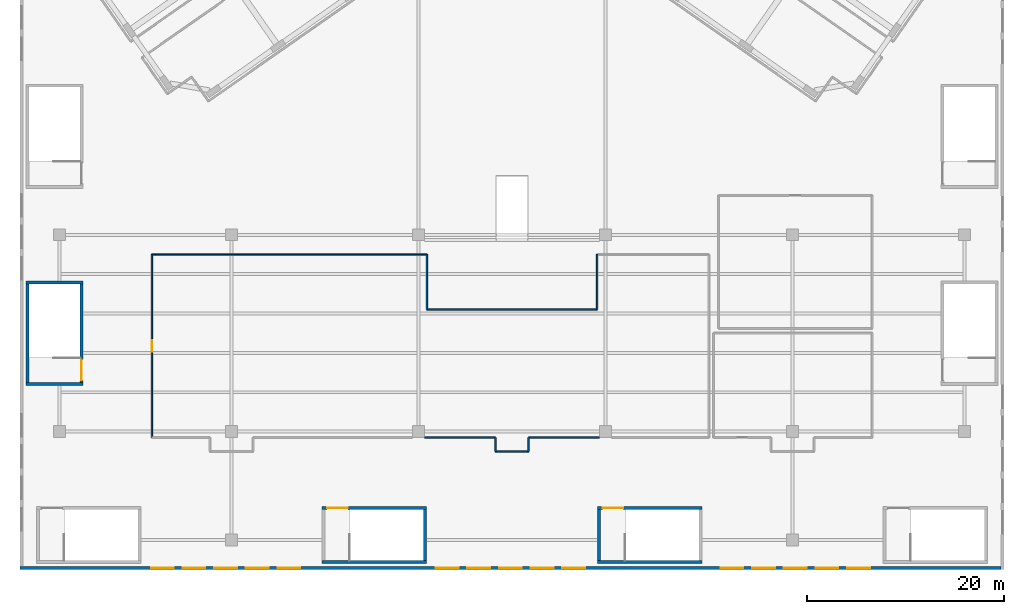
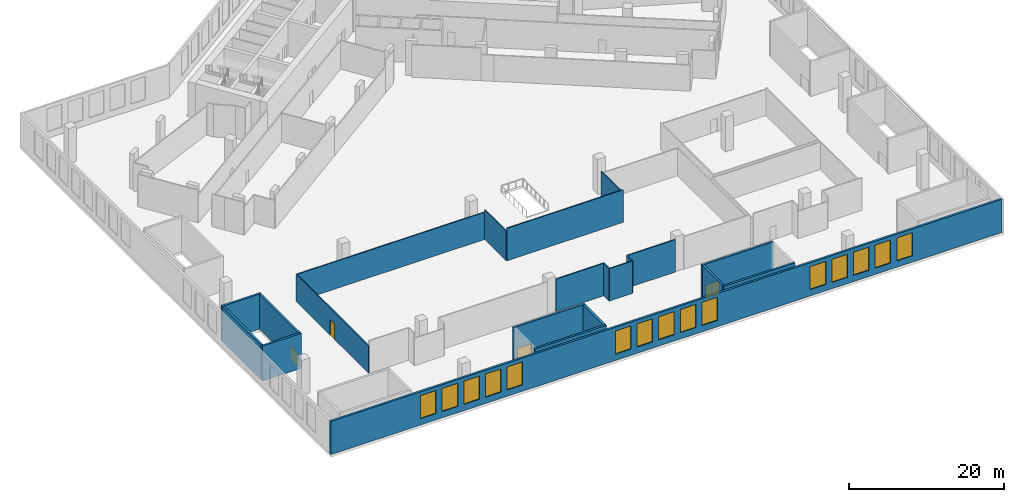
# One storey, part 3 of 15: 21 walls, 15 windows, 4 doors, 19 openings.
"""IFC4 building model written with IfcOpenShell, lengths in metres."""

import ifcopenshell
import ifcopenshell.guid

model = None  # the IFC model being written
_history = None  # IfcOwnerHistory: only IFC2X3 demands one
_inside = {}  # id of a spatial element -> (the spatial element, [elements in it])
_under = {}  # id of a project, library or spatial element -> (it, [spatial elements below it])
_declared = {}  # id of a project -> (the project, [libraries it declares])
_typed = {}  # id of a type object -> (the type object, [elements of that type])
_made_of = {}  # id of a material, layer set ... -> (it, [elements and type objects made of it])


def new_model(schema):
    """Start an empty IFC model of exactly this schema.

    Asked for "IFC4X3", IfcOpenShell would pick the latest addendum, in which some entities
    have other attributes; the version numbers below select the first issue.
    IFC2X3 requires an IfcOwnerHistory on every rooted entity: one is made here for all.
    """
    global model, _history
    if schema == "IFC4X3":
        model = ifcopenshell.file(schema_version=(4, 3, 0, 0))
    else:
        model = ifcopenshell.file(schema=schema)
    _inside.clear()
    _under.clear()
    _declared.clear()
    _typed.clear()
    _made_of.clear()
    _history = None
    if model.schema == "IFC2X3":
        org = make("IfcOrganization", Name="unknown")
        user = make(
            "IfcPersonAndOrganization",
            ThePerson=make("IfcPerson", FamilyName="unknown"),
            TheOrganization=org,
        )
        app = make(
            "IfcApplication",
            ApplicationDeveloper=org,
            Version="unknown",
            ApplicationFullName="unknown",
            ApplicationIdentifier="unknown",
        )
        _history = make(
            "IfcOwnerHistory",
            OwningUser=user,
            OwningApplication=app,
            ChangeAction="ADDED",
            CreationDate=0,
        )
    return model


def make(cls, **values):
    """One entity of the class cls with the attributes given. An attribute that is None is left unset."""
    return model.create_entity(
        cls, **{name: value for name, value in values.items() if value is not None}
    )


def rooted(cls, **values):
    """An entity with a GlobalId (a new one), such as an element, a storey or a relation."""
    return make(cls, GlobalId=ifcopenshell.guid.new(), OwnerHistory=_history, **values)


def si_unit(unit_type, name, prefix=None):
    """IfcSIUnit, for example si_unit("LENGTHUNIT", "METRE", prefix="MILLI")."""
    return make("IfcSIUnit", UnitType=unit_type, Prefix=prefix, Name=name)


def assignment(units):
    """IfcUnitAssignment: the units of a project."""
    return None if units is None else make("IfcUnitAssignment", Units=units)


def point(xyz):
    """IfcCartesianPoint."""
    return None if xyz is None else make("IfcCartesianPoint", Coordinates=xyz)


def direction(xyz):
    """IfcDirection."""
    return None if xyz is None else make("IfcDirection", DirectionRatios=xyz)


def frame(location, z_axis=None, x_axis=None):
    """IfcAxis2Placement3D, a coordinate frame: its origin and axes. An axis left out is left unset."""
    return make(
        "IfcAxis2Placement3D",
        Location=point(location),
        Axis=direction(z_axis),
        RefDirection=direction(x_axis),
    )


def frame_2d(location, x_axis=None):
    """IfcAxis2Placement2D, a coordinate frame in the plane: its origin and x axis."""
    return make(
        "IfcAxis2Placement2D", Location=point(location), RefDirection=direction(x_axis)
    )


def origin():
    """The frame at (0, 0, 0) with its axes left unset."""
    return frame((0.0, 0.0, 0.0))


def place(relative_to, where):
    """IfcLocalPlacement: puts the frame where relative to a parent placement (None: the world)."""
    return make(
        "IfcLocalPlacement", PlacementRelTo=relative_to, RelativePlacement=where
    )


def context(
    kind, dimensions, precision=None, world=None, true_north=None, identifier=None
):
    """IfcGeometricRepresentationContext, for example the 3D "Model" context."""
    return make(
        "IfcGeometricRepresentationContext",
        ContextIdentifier=identifier,
        ContextType=kind,
        CoordinateSpaceDimension=dimensions,
        Precision=precision,
        WorldCoordinateSystem=world,
        TrueNorth=true_north,
    )


def subcontext(parent, identifier, kind, view, scale=None):
    """IfcGeometricRepresentationSubContext, for example "Body" below "Model"."""
    return make(
        "IfcGeometricRepresentationSubContext",
        ContextIdentifier=identifier,
        ContextType=kind,
        ParentContext=parent,
        TargetScale=scale,
        TargetView=view,
    )


def project(units=None, contexts=None):
    """IfcProject with its units and contexts."""
    return rooted(
        "IfcProject",
        Name="project",
        RepresentationContexts=contexts,
        UnitsInContext=assignment(units),
    )


def spatial(cls, under=None, at=None, **own):
    """A site, building, storey or space (cls), placed at a placement, below another one or the project."""
    s = rooted(cls, ObjectPlacement=at, **own)
    if under is not None:
        _under.setdefault(under.id(), (under, []))[1].append(s)
    return s


def profile(cls, at=None, kind="AREA", **sizes):
    """A parametric profile (cls). Its sizes go by their IFC names, for example OverallWidth=200.0."""
    return make(cls, ProfileType=kind, Position=at, **sizes)


def rectangle(**sizes):
    """IfcRectangleProfileDef."""
    return profile("IfcRectangleProfileDef", **sizes)


def extrude(swept, where, along, depth):
    """IfcExtrudedAreaSolid: the profile swept, set in the frame where, extruded along a direction by depth."""
    return make(
        "IfcExtrudedAreaSolid",
        SweptArea=swept,
        Position=where,
        ExtrudedDirection=direction(along),
        Depth=depth,
    )


def shape(context_of_items, identifier, shape_type, items):
    """IfcShapeRepresentation: the items that make up one representation, for example the "Body"."""
    return make(
        "IfcShapeRepresentation",
        ContextOfItems=context_of_items,
        RepresentationIdentifier=identifier,
        RepresentationType=shape_type,
        Items=items,
    )


def material(Name=None, Category=None):
    """IfcMaterial."""
    return make("IfcMaterial", Name=Name, Category=Category)


def layer(
    of_material, thickness, ventilated=None, Name=None, Category=None, Priority=None
):
    """IfcMaterialLayer: one layer of a wall or slab, of a material (None: an air gap)."""
    return make(
        "IfcMaterialLayer",
        Material=of_material,
        LayerThickness=thickness,
        IsVentilated=ventilated,
        Name=Name,
        Category=Category,
        Priority=Priority,
    )


def layer_set(layers, Name=None):
    """IfcMaterialLayerSet."""
    return make("IfcMaterialLayerSet", MaterialLayers=layers, LayerSetName=Name)


def made_of(thing, what):
    """Note that an element or type object is made of a material, layer set ...; save() writes the relation."""
    if what is not None:
        _made_of.setdefault(what.id(), (what, []))[1].append(thing)
    return thing


def type_object(cls, material=None, **own):
    """A type object (cls), such as IfcWallType, which elements share."""
    return made_of(rooted(cls, **own), material)


def element(
    cls,
    number,
    at=None,
    inside=None,
    cuts=None,
    type_object=None,
    material=None,
    context=None,
    identifier="Body",
    shape_type=None,
    held_by="IfcProductDefinitionShape",
    body=None,
    shapes=None,
    **own,
):
    """One element of the class cls, such as IfcWall. Its Tag is "e" and its number.

    at: its placement. inside: the storey or other place that contains it. cuts: it is an
    opening in that element (IfcRelVoidsElement). A single representation is given by context,
    identifier, shape_type and body (its items); several are given by shapes. held_by: the class
    of the entity that holds the representations. save() writes the other relations.
    """
    e = rooted(cls, Tag="e%d" % number, ObjectPlacement=at, **own)
    if body is not None:
        shapes = [shape(context, identifier, shape_type, body)]
    if shapes is not None:
        e.Representation = make(held_by, Representations=shapes)
    if inside is not None:
        _inside.setdefault(inside.id(), (inside, []))[1].append(e)
    if cuts is not None:
        rooted(
            "IfcRelVoidsElement", RelatingBuildingElement=cuts, RelatedOpeningElement=e
        )
    if type_object is not None:
        _typed.setdefault(type_object.id(), (type_object, []))[1].append(e)
    return made_of(e, material)


def fill(opening, filler):
    """IfcRelFillsElement: the door or window that sits in an opening."""
    return rooted(
        "IfcRelFillsElement",
        RelatingOpeningElement=opening,
        RelatedBuildingElement=filler,
    )


def aggregate(whole, parts):
    """IfcRelAggregates: a whole, such as a stair, and the parts it consists of."""
    return rooted("IfcRelAggregates", RelatingObject=whole, RelatedObjects=parts)


def save(model, path):
    """Write the relations noted so far, then the file.

    IfcRelAggregates (storeys below a building ...), IfcRelContainedInSpatialStructure (elements
    in a storey), IfcRelDefinesByType, IfcRelAssociatesMaterial and IfcRelDeclares: one each for
    every whole, place, type object, material and project.
    """
    for whole, parts in _under.values():
        aggregate(whole, parts)
    for where, things in _inside.values():
        rooted(
            "IfcRelContainedInSpatialStructure",
            RelatedElements=things,
            RelatingStructure=where,
        )
    for kind, things in _typed.values():
        rooted("IfcRelDefinesByType", RelatedObjects=things, RelatingType=kind)
    for what, things in _made_of.values():
        rooted("IfcRelAssociatesMaterial", RelatedObjects=things, RelatingMaterial=what)
    for by, libraries in _declared.values():
        rooted("IfcRelDeclares", RelatingContext=by, RelatedDefinitions=libraries)
    model.write(path)


model = new_model("IFC4")

# Units and contexts
model_context = context("Model", 3, precision=1e-05, world=origin(), true_north=direction((0.0, 1.0)))
body_context = subcontext(model_context, "Body", "Model", "MODEL_VIEW")
ifc_project = project(units=[si_unit("LENGTHUNIT", "METRE"), si_unit("AREAUNIT", "SQUARE_METRE"), si_unit("VOLUMEUNIT", "CUBIC_METRE"), si_unit("PLANEANGLEUNIT", "RADIAN"), si_unit("MASSUNIT", "GRAM", prefix="KILO")], contexts=[model_context])

# Site, building, storey
site_placement = place(None, origin())
site = spatial("IfcSite", under=ifc_project, at=site_placement, CompositionType="ELEMENT")
building_placement = place(site_placement, origin())
building = spatial("IfcBuilding", under=site, at=building_placement, Name="Tel Ilan Convention Tower", CompositionType="ELEMENT")
storey_placement = place(building_placement, frame((0.0, 0.0, 43.0)))
storey = spatial("IfcBuildingStorey", under=building, at=storey_placement, Name="L06", CompositionType="ELEMENT", Elevation=43.0)

# Walls
ifc_material_1 = material(Name="Plasterboard on Steel Studs", Category="steel")
ifc_layer_1 = layer(ifc_material_1, 0.14990234375)
ifc_layer_set_1 = layer_set([ifc_layer_1], Name="Fire-rated Partition 150 EI 60")
wall_type_1 = type_object("IfcWallType", Name="Fire-rated Partition 150 EI 60", PredefinedType="PARTITIONING", material=ifc_layer_set_1)
wall_1_placement = place(storey_placement, frame((-8.65087890625, -49.9990234375, 0.0), z_axis=(0.0, 0.0, 1.0), x_axis=(-1.0, 0.0, 0.0)))
element("IfcWall", 1, at=wall_1_placement, inside=storey, type_object=wall_type_1, Name="Partition 029", PredefinedType="PARTITIONING", context=body_context, shape_type="SweptSolid", body=[
    extrude(rectangle(XDim=27.9482421875, YDim=0.14990234375, at=frame_2d((13.97412109375, 0.0))), origin(), (0.0, 0.0, 1.0), 4.280029296875),
])
wall_2_placement = place(storey_placement, frame((-1.698974609375, -70.0009765625, 0.0), z_axis=(0.0, 0.0, 1.0), x_axis=(1.0, 0.0, 0.0)))
element("IfcWall", 2, at=wall_2_placement, inside=storey, type_object=wall_type_1, Name="Partition 041", PredefinedType="PARTITIONING", context=body_context, shape_type="SweptSolid", body=[
    extrude(rectangle(XDim=3.39794921875, YDim=0.14990234375, at=frame_2d((1.698974609375, 0.0))), origin(), (0.0, 0.0, 1.0), 5.10009765625),
])

# Wall, opening, door
wall_3_placement = place(storey_placement, frame((-36.60009765625, -49.998291015625, 0.0), z_axis=(0.0, 0.0, 1.0), x_axis=(0.0, -1.0, 0.0)))
wall_3 = element("IfcWall", 3, at=wall_3_placement, inside=storey, type_object=wall_type_1, Name="Partition 045", PredefinedType="PARTITIONING", context=body_context, shape_type="SweptSolid", body=[
    extrude(rectangle(XDim=18.601806640625, YDim=0.14990234375, at=frame_2d((9.30078125, 0.0))), origin(), (0.0, 0.0, 1.0), 4.280029296875),
])
opening_1_placement = place(wall_3_placement, frame((8.700927734375, 0.0, 0.0)))
opening_1 = element("IfcOpeningElement", 4, at=opening_1_placement, cuts=wall_3, Name="Opening L06-007", PredefinedType="OPENING", context=body_context, shape_type="SweptSolid", body=[
    extrude(rectangle(XDim=1.199951171875, YDim=2.39990234375, at=frame_2d((0.60009765625, 1.199951171875))), frame((0.0, 0.0849609375, 0.0), z_axis=(0.0, -1.0, 0.0), x_axis=(1.0, 0.0, 0.0)), (0.0, 0.0, 1.0), 0.169921875),
])
ifc_material_2 = material(Name="Glazed Aluminium Door", Category="aluminium")
door_type_1 = type_object("IfcDoorType", Name="Glazed Lobby Door 1200x2400", OperationType="NOTDEFINED", PredefinedType="DOOR", material=ifc_material_2)
door_1_placement = place(opening_1_placement, origin())
door_1 = element("IfcDoor", 5, at=door_1_placement, inside=storey, type_object=door_type_1, Name="Door L06-007", OperationType="DOUBLE_DOOR_SINGLE_SWING", OverallHeight=2.39990234375, OverallWidth=1.199951171875, PredefinedType="DOOR", context=body_context, shape_type="SweptSolid", body=[
    extrude(rectangle(XDim=1.199951171875, YDim=2.39990234375, at=frame_2d((0.60009765625, 1.199951171875))), frame((0.0, 0.02490234375, 0.0), z_axis=(0.0, -1.0, 0.0), x_axis=(1.0, 0.0, 0.0)), (0.0, 0.0, 1.0), 0.050048828125),
])
fill(opening_1, door_1)

# Walls
wall_4_placement = place(storey_placement, frame((-8.8798828125, -68.60009765625, 0.0), z_axis=(0.0, 0.0, 1.0), x_axis=(1.0, 0.0, 0.0)))
element("IfcWall", 6, at=wall_4_placement, inside=storey, type_object=wall_type_1, Name="Partition 050", PredefinedType="PARTITIONING", context=body_context, shape_type="SweptSolid", body=[
    extrude(rectangle(XDim=7.179931640625, YDim=0.14990234375, at=frame_2d((3.58984375, 0.0))), origin(), (0.0, 0.0, 1.0), 5.10009765625),
])
for number, where, z_axis, x_axis, name in (
    (7, (-1.699951171875, -68.60009765625, 0.0), (0.0, 0.0, 1.0), (0.0, -1.0, 0.0), "Partition 051"),
    (8, (1.699951171875, -70.001708984375, 0.0), (0.0, 0.0, 1.0), (0.0, 1.0, 0.0), "Partition 052"),
):
    element("IfcWall", number, at=place(storey_placement, frame(where, z_axis=z_axis, x_axis=x_axis)), inside=storey, type_object=wall_type_1, Name=name, PredefinedType="PARTITIONING", context=body_context, shape_type="SweptSolid", body=[
        extrude(rectangle(XDim=1.401611328125, YDim=0.14990234375, at=frame_2d((0.70068359375, 0.0))), origin(), (0.0, 0.0, 1.0), 5.10009765625),
    ])
wall_5_placement = place(storey_placement, frame((1.699951171875, -68.60009765625, 0.0), z_axis=(0.0, 0.0, 1.0), x_axis=(1.0, 0.0, 0.0)))
element("IfcWall", 9, at=wall_5_placement, inside=storey, type_object=wall_type_1, Name="Partition 053", PredefinedType="PARTITIONING", context=body_context, shape_type="SweptSolid", body=[
    extrude(rectangle(XDim=7.179931640625, YDim=0.14990234375, at=frame_2d((3.58984375, 0.0))), origin(), (0.0, 0.0, 1.0), 5.10009765625),
])
wall_6_placement = place(storey_placement, frame((8.64990234375, -55.5859375, 0.0), z_axis=(0.0, 0.0, 1.0), x_axis=(-1.0, 0.0, 0.0)))
element("IfcWall", 10, at=wall_6_placement, inside=storey, type_object=wall_type_1, Name="Partition 065", PredefinedType="PARTITIONING", context=body_context, shape_type="SweptSolid", body=[
    extrude(rectangle(XDim=17.2998046875, YDim=0.14990234375, at=frame_2d((8.64990234375, 0.0))), origin(), (0.0, 0.0, 1.0), 5.10009765625),
])
for number, where, z_axis, x_axis, name in (
    (11, (-8.64990234375, -55.5859375, 0.0), (0.0, 0.0, 1.0), (0.0, 1.0, 0.0), "Partition 066"),
    (12, (8.64990234375, -49.998291015625, 0.0), (0.0, 0.0, 1.0), (0.0, -1.0, 0.0), "Partition 067"),
):
    element("IfcWall", number, at=place(storey_placement, frame(where, z_axis=z_axis, x_axis=x_axis)), inside=storey, type_object=wall_type_1, Name=name, PredefinedType="PARTITIONING", context=body_context, shape_type="SweptSolid", body=[
        extrude(rectangle(XDim=5.587646484375, YDim=0.14990234375, at=frame_2d((2.7939453125, 0.0))), origin(), (0.0, 0.0, 1.0), 4.6298828125),
    ])

# Wall, openings, windows
ifc_material_3 = material(Name="Bronze aluminium cladding panel on insulated steel frame", Category="steel")
ifc_layer_2 = layer(ifc_material_3, 0.300048828125)
ifc_layer_set_2 = layer_set([ifc_layer_2], Name="PODIUM CLADDING WALL 300")
wall_type_2 = type_object("IfcWallType", Name="PODIUM CLADDING WALL 300", PredefinedType="SOLIDWALL", material=ifc_layer_set_2)
wall_7_placement = place(storey_placement, frame((49.699951171875, -81.85009765625, 0.0), z_axis=(0.0, 0.0, 1.0), x_axis=(-1.0, 0.0, 0.0)))
wall_7 = element("IfcWall", 13, at=wall_7_placement, inside=storey, type_object=wall_type_2, Name="Podium cladding wall", PredefinedType="SOLIDWALL", context=body_context, shape_type="SweptSolid", body=[
    extrude(rectangle(XDim=99.699951171875, YDim=0.300048828125, at=frame_2d((49.85009765625, 0.0))), origin(), (0.0, 0.0, 1.0), 5.219970703125),
])
opening_2_placement = place(wall_7_placement, frame((13.314453125, 0.0, 1.0)))
opening_2 = element("IfcOpeningElement", 14, at=opening_2_placement, cuts=wall_7, Name="Opening W-09.001", PredefinedType="OPENING", context=body_context, shape_type="SweptSolid", body=[
    extrude(rectangle(XDim=2.316162109375, YDim=3.6201171875, at=frame_2d((1.158203125, 1.81005859375))), frame((0.0, 0.159912109375, 0.0), z_axis=(0.0, -1.0, 0.0), x_axis=(1.0, 0.0, 0.0)), (0.0, 0.0, 1.0), 0.320068359375),
])
opening_3_placement = place(wall_7_placement, frame((16.53076171875, 0.0, 1.0)))
opening_3 = element("IfcOpeningElement", 15, at=opening_3_placement, cuts=wall_7, Name="Opening W-09.002", PredefinedType="OPENING", context=body_context, shape_type="SweptSolid", body=[
    extrude(rectangle(XDim=2.316162109375, YDim=3.6201171875, at=frame_2d((1.158203125, 1.81005859375))), frame((0.0, 0.159912109375, 0.0), z_axis=(0.0, -1.0, 0.0), x_axis=(1.0, 0.0, 0.0)), (0.0, 0.0, 1.0), 0.320068359375),
])
opening_4_placement = place(wall_7_placement, frame((19.746826171875, 0.0, 1.0)))
opening_4 = element("IfcOpeningElement", 16, at=opening_4_placement, cuts=wall_7, Name="Opening W-09.003", PredefinedType="OPENING", context=body_context, shape_type="SweptSolid", body=[
    extrude(rectangle(XDim=2.316162109375, YDim=3.6201171875, at=frame_2d((1.158203125, 1.81005859375))), frame((0.0, 0.159912109375, 0.0), z_axis=(0.0, -1.0, 0.0), x_axis=(1.0, 0.0, 0.0)), (0.0, 0.0, 1.0), 0.320068359375),
])
opening_5_placement = place(wall_7_placement, frame((22.962890625, 0.0, 1.0)))
opening_5 = element("IfcOpeningElement", 17, at=opening_5_placement, cuts=wall_7, Name="Opening W-09.004", PredefinedType="OPENING", context=body_context, shape_type="SweptSolid", body=[
    extrude(rectangle(XDim=2.316162109375, YDim=3.6201171875, at=frame_2d((1.158203125, 1.81005859375))), frame((0.0, 0.159912109375, 0.0), z_axis=(0.0, -1.0, 0.0), x_axis=(1.0, 0.0, 0.0)), (0.0, 0.0, 1.0), 0.320068359375),
])
opening_6_placement = place(wall_7_placement, frame((26.178955078125, 0.0, 1.0)))
opening_6 = element("IfcOpeningElement", 18, at=opening_6_placement, cuts=wall_7, Name="Opening W-09.005", PredefinedType="OPENING", context=body_context, shape_type="SweptSolid", body=[
    extrude(rectangle(XDim=2.316162109375, YDim=3.6201171875, at=frame_2d((1.158203125, 1.81005859375))), frame((0.0, 0.159912109375, 0.0), z_axis=(0.0, -1.0, 0.0), x_axis=(1.0, 0.0, 0.0)), (0.0, 0.0, 1.0), 0.320068359375),
])
opening_7_placement = place(wall_7_placement, frame((42.259765625, 0.0, 1.0)))
opening_7 = element("IfcOpeningElement", 19, at=opening_7_placement, cuts=wall_7, Name="Opening W-09.006", PredefinedType="OPENING", context=body_context, shape_type="SweptSolid", body=[
    extrude(rectangle(XDim=2.316162109375, YDim=3.6201171875, at=frame_2d((1.158203125, 1.81005859375))), frame((0.0, 0.159912109375, 0.0), z_axis=(0.0, -1.0, 0.0), x_axis=(1.0, 0.0, 0.0)), (0.0, 0.0, 1.0), 0.320068359375),
])
opening_8_placement = place(wall_7_placement, frame((45.475830078125, 0.0, 1.0)))
opening_8 = element("IfcOpeningElement", 20, at=opening_8_placement, cuts=wall_7, Name="Opening W-09.007", PredefinedType="OPENING", context=body_context, shape_type="SweptSolid", body=[
    extrude(rectangle(XDim=2.316162109375, YDim=3.6201171875, at=frame_2d((1.158203125, 1.81005859375))), frame((0.0, 0.159912109375, 0.0), z_axis=(0.0, -1.0, 0.0), x_axis=(1.0, 0.0, 0.0)), (0.0, 0.0, 1.0), 0.320068359375),
])
opening_9_placement = place(wall_7_placement, frame((48.69189453125, 0.0, 1.0)))
opening_9 = element("IfcOpeningElement", 21, at=opening_9_placement, cuts=wall_7, Name="Opening W-09.008", PredefinedType="OPENING", context=body_context, shape_type="SweptSolid", body=[
    extrude(rectangle(XDim=2.316162109375, YDim=3.6201171875, at=frame_2d((1.158203125, 1.81005859375))), frame((0.0, 0.159912109375, 0.0), z_axis=(0.0, -1.0, 0.0), x_axis=(1.0, 0.0, 0.0)), (0.0, 0.0, 1.0), 0.320068359375),
])
opening_10_placement = place(wall_7_placement, frame((51.907958984375, 0.0, 1.0)))
opening_10 = element("IfcOpeningElement", 22, at=opening_10_placement, cuts=wall_7, Name="Opening W-09.009", PredefinedType="OPENING", context=body_context, shape_type="SweptSolid", body=[
    extrude(rectangle(XDim=2.316162109375, YDim=3.6201171875, at=frame_2d((1.158203125, 1.81005859375))), frame((0.0, 0.159912109375, 0.0), z_axis=(0.0, -1.0, 0.0), x_axis=(1.0, 0.0, 0.0)), (0.0, 0.0, 1.0), 0.320068359375),
])
opening_11_placement = place(wall_7_placement, frame((55.124267578125, 0.0, 1.0)))
opening_11 = element("IfcOpeningElement", 23, at=opening_11_placement, cuts=wall_7, Name="Opening W-09.010", PredefinedType="OPENING", context=body_context, shape_type="SweptSolid", body=[
    extrude(rectangle(XDim=2.316162109375, YDim=3.6201171875, at=frame_2d((1.158203125, 1.81005859375))), frame((0.0, 0.159912109375, 0.0), z_axis=(0.0, -1.0, 0.0), x_axis=(1.0, 0.0, 0.0)), (0.0, 0.0, 1.0), 0.320068359375),
])
opening_12_placement = place(wall_7_placement, frame((71.204833984375, 0.0, 1.0)))
opening_12 = element("IfcOpeningElement", 24, at=opening_12_placement, cuts=wall_7, Name="Opening W-09.011", PredefinedType="OPENING", context=body_context, shape_type="SweptSolid", body=[
    extrude(rectangle(XDim=2.316162109375, YDim=3.6201171875, at=frame_2d((1.158203125, 1.81005859375))), frame((0.0, 0.159912109375, 0.0), z_axis=(0.0, -1.0, 0.0), x_axis=(1.0, 0.0, 0.0)), (0.0, 0.0, 1.0), 0.320068359375),
])
opening_13_placement = place(wall_7_placement, frame((74.4208984375, 0.0, 1.0)))
opening_13 = element("IfcOpeningElement", 25, at=opening_13_placement, cuts=wall_7, Name="Opening W-09.012", PredefinedType="OPENING", context=body_context, shape_type="SweptSolid", body=[
    extrude(rectangle(XDim=2.316162109375, YDim=3.6201171875, at=frame_2d((1.158203125, 1.81005859375))), frame((0.0, 0.159912109375, 0.0), z_axis=(0.0, -1.0, 0.0), x_axis=(1.0, 0.0, 0.0)), (0.0, 0.0, 1.0), 0.320068359375),
])
opening_14_placement = place(wall_7_placement, frame((77.63720703125, 0.0, 1.0)))
opening_14 = element("IfcOpeningElement", 26, at=opening_14_placement, cuts=wall_7, Name="Opening W-09.013", PredefinedType="OPENING", context=body_context, shape_type="SweptSolid", body=[
    extrude(rectangle(XDim=2.316162109375, YDim=3.6201171875, at=frame_2d((1.158203125, 1.81005859375))), frame((0.0, 0.159912109375, 0.0), z_axis=(0.0, -1.0, 0.0), x_axis=(1.0, 0.0, 0.0)), (0.0, 0.0, 1.0), 0.320068359375),
])
opening_15_placement = place(wall_7_placement, frame((80.853271484375, 0.0, 1.0)))
opening_15 = element("IfcOpeningElement", 27, at=opening_15_placement, cuts=wall_7, Name="Opening W-09.014", PredefinedType="OPENING", context=body_context, shape_type="SweptSolid", body=[
    extrude(rectangle(XDim=2.316162109375, YDim=3.6201171875, at=frame_2d((1.158203125, 1.81005859375))), frame((0.0, 0.159912109375, 0.0), z_axis=(0.0, -1.0, 0.0), x_axis=(1.0, 0.0, 0.0)), (0.0, 0.0, 1.0), 0.320068359375),
])
opening_16_placement = place(wall_7_placement, frame((84.0693359375, 0.0, 1.0)))
opening_16 = element("IfcOpeningElement", 28, at=opening_16_placement, cuts=wall_7, Name="Opening W-09.015", PredefinedType="OPENING", context=body_context, shape_type="SweptSolid", body=[
    extrude(rectangle(XDim=2.316162109375, YDim=3.6201171875, at=frame_2d((1.158203125, 1.81005859375))), frame((0.0, 0.159912109375, 0.0), z_axis=(0.0, -1.0, 0.0), x_axis=(1.0, 0.0, 0.0)), (0.0, 0.0, 1.0), 0.320068359375),
])
ifc_material_4 = material(Name="Aluminium framed glazing, bronze anodised, tinted glass", Category="aluminium")
window_type = type_object("IfcWindowType", Name="PODIUM WINDOW 2316x3620", PartitioningType="SINGLE_PANEL", PredefinedType="WINDOW", material=ifc_material_4)
window_1_placement = place(opening_2_placement, origin())
window_1 = element("IfcWindow", 29, at=window_1_placement, inside=storey, type_object=window_type, Name="Podium window", OverallHeight=3.6201171875, OverallWidth=2.316162109375, PartitioningType="SINGLE_PANEL", PredefinedType="WINDOW", context=body_context, shape_type="SweptSolid", body=[
    extrude(rectangle(XDim=2.316162109375, YDim=3.6201171875, at=frame_2d((1.158203125, 1.81005859375))), frame((0.0, 0.030029296875, 0.0), z_axis=(0.0, -1.0, 0.0), x_axis=(1.0, 0.0, 0.0)), (0.0, 0.0, 1.0), 0.06005859375),
])
fill(opening_2, window_1)
window_2_placement = place(opening_3_placement, origin())
window_2 = element("IfcWindow", 30, at=window_2_placement, inside=storey, type_object=window_type, Name="Podium window", OverallHeight=3.6201171875, OverallWidth=2.316162109375, PartitioningType="SINGLE_PANEL", PredefinedType="WINDOW", context=body_context, shape_type="SweptSolid", body=[
    extrude(rectangle(XDim=2.316162109375, YDim=3.6201171875, at=frame_2d((1.158203125, 1.81005859375))), frame((0.0, 0.030029296875, 0.0), z_axis=(0.0, -1.0, 0.0), x_axis=(1.0, 0.0, 0.0)), (0.0, 0.0, 1.0), 0.06005859375),
])
fill(opening_3, window_2)
window_3_placement = place(opening_4_placement, origin())
window_3 = element("IfcWindow", 31, at=window_3_placement, inside=storey, type_object=window_type, Name="Podium window", OverallHeight=3.6201171875, OverallWidth=2.316162109375, PartitioningType="SINGLE_PANEL", PredefinedType="WINDOW", context=body_context, shape_type="SweptSolid", body=[
    extrude(rectangle(XDim=2.316162109375, YDim=3.6201171875, at=frame_2d((1.158203125, 1.81005859375))), frame((0.0, 0.030029296875, 0.0), z_axis=(0.0, -1.0, 0.0), x_axis=(1.0, 0.0, 0.0)), (0.0, 0.0, 1.0), 0.06005859375),
])
fill(opening_4, window_3)
window_4_placement = place(opening_5_placement, origin())
window_4 = element("IfcWindow", 32, at=window_4_placement, inside=storey, type_object=window_type, Name="Podium window", OverallHeight=3.6201171875, OverallWidth=2.316162109375, PartitioningType="SINGLE_PANEL", PredefinedType="WINDOW", context=body_context, shape_type="SweptSolid", body=[
    extrude(rectangle(XDim=2.316162109375, YDim=3.6201171875, at=frame_2d((1.158203125, 1.81005859375))), frame((0.0, 0.030029296875, 0.0), z_axis=(0.0, -1.0, 0.0), x_axis=(1.0, 0.0, 0.0)), (0.0, 0.0, 1.0), 0.06005859375),
])
fill(opening_5, window_4)
window_5_placement = place(opening_6_placement, origin())
window_5 = element("IfcWindow", 33, at=window_5_placement, inside=storey, type_object=window_type, Name="Podium window", OverallHeight=3.6201171875, OverallWidth=2.316162109375, PartitioningType="SINGLE_PANEL", PredefinedType="WINDOW", context=body_context, shape_type="SweptSolid", body=[
    extrude(rectangle(XDim=2.316162109375, YDim=3.6201171875, at=frame_2d((1.158203125, 1.81005859375))), frame((0.0, 0.030029296875, 0.0), z_axis=(0.0, -1.0, 0.0), x_axis=(1.0, 0.0, 0.0)), (0.0, 0.0, 1.0), 0.06005859375),
])
fill(opening_6, window_5)
window_6_placement = place(opening_7_placement, origin())
window_6 = element("IfcWindow", 34, at=window_6_placement, inside=storey, type_object=window_type, Name="Podium window", OverallHeight=3.6201171875, OverallWidth=2.316162109375, PartitioningType="SINGLE_PANEL", PredefinedType="WINDOW", context=body_context, shape_type="SweptSolid", body=[
    extrude(rectangle(XDim=2.316162109375, YDim=3.6201171875, at=frame_2d((1.158203125, 1.81005859375))), frame((0.0, 0.030029296875, 0.0), z_axis=(0.0, -1.0, 0.0), x_axis=(1.0, 0.0, 0.0)), (0.0, 0.0, 1.0), 0.06005859375),
])
fill(opening_7, window_6)
window_7_placement = place(opening_8_placement, origin())
window_7 = element("IfcWindow", 35, at=window_7_placement, inside=storey, type_object=window_type, Name="Podium window", OverallHeight=3.6201171875, OverallWidth=2.316162109375, PartitioningType="SINGLE_PANEL", PredefinedType="WINDOW", context=body_context, shape_type="SweptSolid", body=[
    extrude(rectangle(XDim=2.316162109375, YDim=3.6201171875, at=frame_2d((1.158203125, 1.81005859375))), frame((0.0, 0.030029296875, 0.0), z_axis=(0.0, -1.0, 0.0), x_axis=(1.0, 0.0, 0.0)), (0.0, 0.0, 1.0), 0.06005859375),
])
fill(opening_8, window_7)
window_8_placement = place(opening_9_placement, origin())
window_8 = element("IfcWindow", 36, at=window_8_placement, inside=storey, type_object=window_type, Name="Podium window", OverallHeight=3.6201171875, OverallWidth=2.316162109375, PartitioningType="SINGLE_PANEL", PredefinedType="WINDOW", context=body_context, shape_type="SweptSolid", body=[
    extrude(rectangle(XDim=2.316162109375, YDim=3.6201171875, at=frame_2d((1.158203125, 1.81005859375))), frame((0.0, 0.030029296875, 0.0), z_axis=(0.0, -1.0, 0.0), x_axis=(1.0, 0.0, 0.0)), (0.0, 0.0, 1.0), 0.06005859375),
])
fill(opening_9, window_8)
window_9_placement = place(opening_10_placement, origin())
window_9 = element("IfcWindow", 37, at=window_9_placement, inside=storey, type_object=window_type, Name="Podium window", OverallHeight=3.6201171875, OverallWidth=2.316162109375, PartitioningType="SINGLE_PANEL", PredefinedType="WINDOW", context=body_context, shape_type="SweptSolid", body=[
    extrude(rectangle(XDim=2.316162109375, YDim=3.6201171875, at=frame_2d((1.158203125, 1.81005859375))), frame((0.0, 0.030029296875, 0.0), z_axis=(0.0, -1.0, 0.0), x_axis=(1.0, 0.0, 0.0)), (0.0, 0.0, 1.0), 0.06005859375),
])
fill(opening_10, window_9)
window_10_placement = place(opening_11_placement, origin())
window_10 = element("IfcWindow", 38, at=window_10_placement, inside=storey, type_object=window_type, Name="Podium window", OverallHeight=3.6201171875, OverallWidth=2.316162109375, PartitioningType="SINGLE_PANEL", PredefinedType="WINDOW", context=body_context, shape_type="SweptSolid", body=[
    extrude(rectangle(XDim=2.316162109375, YDim=3.6201171875, at=frame_2d((1.158203125, 1.81005859375))), frame((0.0, 0.030029296875, 0.0), z_axis=(0.0, -1.0, 0.0), x_axis=(1.0, 0.0, 0.0)), (0.0, 0.0, 1.0), 0.06005859375),
])
fill(opening_11, window_10)
window_11_placement = place(opening_12_placement, origin())
window_11 = element("IfcWindow", 39, at=window_11_placement, inside=storey, type_object=window_type, Name="Podium window", OverallHeight=3.6201171875, OverallWidth=2.316162109375, PartitioningType="SINGLE_PANEL", PredefinedType="WINDOW", context=body_context, shape_type="SweptSolid", body=[
    extrude(rectangle(XDim=2.316162109375, YDim=3.6201171875, at=frame_2d((1.158203125, 1.81005859375))), frame((0.0, 0.030029296875, 0.0), z_axis=(0.0, -1.0, 0.0), x_axis=(1.0, 0.0, 0.0)), (0.0, 0.0, 1.0), 0.06005859375),
])
fill(opening_12, window_11)
window_12_placement = place(opening_13_placement, origin())
window_12 = element("IfcWindow", 40, at=window_12_placement, inside=storey, type_object=window_type, Name="Podium window", OverallHeight=3.6201171875, OverallWidth=2.316162109375, PartitioningType="SINGLE_PANEL", PredefinedType="WINDOW", context=body_context, shape_type="SweptSolid", body=[
    extrude(rectangle(XDim=2.316162109375, YDim=3.6201171875, at=frame_2d((1.158203125, 1.81005859375))), frame((0.0, 0.030029296875, 0.0), z_axis=(0.0, -1.0, 0.0), x_axis=(1.0, 0.0, 0.0)), (0.0, 0.0, 1.0), 0.06005859375),
])
fill(opening_13, window_12)
window_13_placement = place(opening_14_placement, origin())
window_13 = element("IfcWindow", 41, at=window_13_placement, inside=storey, type_object=window_type, Name="Podium window", OverallHeight=3.6201171875, OverallWidth=2.316162109375, PartitioningType="SINGLE_PANEL", PredefinedType="WINDOW", context=body_context, shape_type="SweptSolid", body=[
    extrude(rectangle(XDim=2.316162109375, YDim=3.6201171875, at=frame_2d((1.158203125, 1.81005859375))), frame((0.0, 0.030029296875, 0.0), z_axis=(0.0, -1.0, 0.0), x_axis=(1.0, 0.0, 0.0)), (0.0, 0.0, 1.0), 0.06005859375),
])
fill(opening_14, window_13)
window_14_placement = place(opening_15_placement, origin())
window_14 = element("IfcWindow", 42, at=window_14_placement, inside=storey, type_object=window_type, Name="Podium window", OverallHeight=3.6201171875, OverallWidth=2.316162109375, PartitioningType="SINGLE_PANEL", PredefinedType="WINDOW", context=body_context, shape_type="SweptSolid", body=[
    extrude(rectangle(XDim=2.316162109375, YDim=3.6201171875, at=frame_2d((1.158203125, 1.81005859375))), frame((0.0, 0.030029296875, 0.0), z_axis=(0.0, -1.0, 0.0), x_axis=(1.0, 0.0, 0.0)), (0.0, 0.0, 1.0), 0.06005859375),
])
fill(opening_15, window_14)
window_15_placement = place(opening_16_placement, origin())
window_15 = element("IfcWindow", 43, at=window_15_placement, inside=storey, type_object=window_type, Name="Podium window", OverallHeight=3.6201171875, OverallWidth=2.316162109375, PartitioningType="SINGLE_PANEL", PredefinedType="WINDOW", context=body_context, shape_type="SweptSolid", body=[
    extrude(rectangle(XDim=2.316162109375, YDim=3.6201171875, at=frame_2d((1.158203125, 1.81005859375))), frame((0.0, 0.030029296875, 0.0), z_axis=(0.0, -1.0, 0.0), x_axis=(1.0, 0.0, 0.0)), (0.0, 0.0, 1.0), 0.06005859375),
])
fill(opening_16, window_15)

# Wall
ifc_material_5 = material(Name="Concrete C40/50", Category="concrete")
ifc_layer_3 = layer(ifc_material_5, 0.300048828125)
ifc_layer_set_3 = layer_set([ifc_layer_3], Name="Stair Enclosure Wall 300 mm C40/50")
wall_type_3 = type_object("IfcWallType", Name="Stair Enclosure Wall 300 mm C40/50", PredefinedType="SOLIDWALL", material=ifc_layer_set_3)
wall_8_placement = place(storey_placement, frame((-19.300048828125, -81.25, 0.0), z_axis=(0.0, 0.0, 1.0), x_axis=(1.0, 0.0, 0.0)))
element("IfcWall", 44, at=wall_8_placement, inside=storey, type_object=wall_type_3, Name="P2 stair enclosure wall S L06", PredefinedType="SOLIDWALL", context=body_context, shape_type="SweptSolid", body=[
    extrude(rectangle(XDim=10.60009765625, YDim=0.300048828125, at=frame_2d((5.300048828125, 0.0))), origin(), (0.0, 0.0, 1.0), 5.5),
])

# Wall, opening, door
wall_9_placement = place(storey_placement, frame((-19.300048828125, -75.75, 0.0), z_axis=(0.0, 0.0, 1.0), x_axis=(1.0, 0.0, 0.0)))
wall_9 = element("IfcWall", 45, at=wall_9_placement, inside=storey, type_object=wall_type_3, Name="P2 stair enclosure wall N L06", PredefinedType="SOLIDWALL", context=body_context, shape_type="SweptSolid", body=[
    extrude(rectangle(XDim=10.60009765625, YDim=0.300048828125, at=frame_2d((5.300048828125, 0.0))), origin(), (0.0, 0.0, 1.0), 5.5),
])
opening_17_placement = place(wall_9_placement, frame((0.512451171875, 0.0, 0.0)))
opening_17 = element("IfcOpeningElement", 46, at=opening_17_placement, cuts=wall_9, Name="Opening PD209", PredefinedType="OPENING", context=body_context, shape_type="SweptSolid", body=[
    extrude(rectangle(XDim=2.10009765625, YDim=2.10009765625, at=frame_2d((1.050048828125, 1.050048828125))), frame((0.0, 0.159912109375, 0.0), z_axis=(0.0, -1.0, 0.0), x_axis=(1.0, 0.0, 0.0)), (0.0, 0.0, 1.0), 0.320068359375),
])
ifc_material_6 = material(Name="Galvanised Steel Door Leaf", Category="steel")
door_type_2 = type_object("IfcDoorType", Name="Stair Fire Door 2100 x 2100 FD60S", OperationType="NOTDEFINED", PredefinedType="DOOR", material=ifc_material_6)
door_2_placement = place(opening_17_placement, origin())
door_2 = element("IfcDoor", 47, at=door_2_placement, inside=storey, type_object=door_type_2, Name="Stair P2 floor door", OperationType="DOUBLE_DOOR_SINGLE_SWING", OverallHeight=2.10009765625, OverallWidth=2.10009765625, PredefinedType="DOOR", context=body_context, shape_type="SweptSolid", body=[
    extrude(rectangle(XDim=2.10009765625, YDim=2.10009765625, at=frame_2d((1.050048828125, 1.050048828125))), frame((0.0, 0.02490234375, 0.0), z_axis=(0.0, -1.0, 0.0), x_axis=(1.0, 0.0, 0.0)), (0.0, 0.0, 1.0), 0.050048828125),
])
fill(opening_17, door_2)

# Walls
wall_10_placement = place(storey_placement, frame((-8.85009765625, -81.10009765625, 0.0), z_axis=(0.0, 0.0, 1.0), x_axis=(0.0, 1.0, 0.0)))
element("IfcWall", 48, at=wall_10_placement, inside=storey, type_object=wall_type_3, Name="P2 stair enclosure wall E L06", PredefinedType="SOLIDWALL", context=body_context, shape_type="SweptSolid", body=[
    extrude(rectangle(XDim=5.2001953125, YDim=0.300048828125, at=frame_2d((2.60009765625, 0.0))), origin(), (0.0, 0.0, 1.0), 5.5),
])
wall_11_placement = place(storey_placement, frame((8.699951171875, -81.25, 0.0), z_axis=(0.0, 0.0, 1.0), x_axis=(1.0, 0.0, 0.0)))
element("IfcWall", 49, at=wall_11_placement, inside=storey, type_object=wall_type_3, Name="P3 stair enclosure wall S L06", PredefinedType="SOLIDWALL", context=body_context, shape_type="SweptSolid", body=[
    extrude(rectangle(XDim=10.60009765625, YDim=0.300048828125, at=frame_2d((5.300048828125, 0.0))), origin(), (0.0, 0.0, 1.0), 5.5),
])

# Wall, opening, door
wall_12_placement = place(storey_placement, frame((8.699951171875, -75.75, 0.0), z_axis=(0.0, 0.0, 1.0), x_axis=(1.0, 0.0, 0.0)))
wall_12 = element("IfcWall", 50, at=wall_12_placement, inside=storey, type_object=wall_type_3, Name="P3 stair enclosure wall N L06", PredefinedType="SOLIDWALL", context=body_context, shape_type="SweptSolid", body=[
    extrude(rectangle(XDim=10.60009765625, YDim=0.300048828125, at=frame_2d((5.300048828125, 0.0))), origin(), (0.0, 0.0, 1.0), 5.5),
])
opening_18_placement = place(wall_12_placement, frame((0.512451171875, 0.0, 0.0)))
opening_18 = element("IfcOpeningElement", 51, at=opening_18_placement, cuts=wall_12, Name="Opening PD309", PredefinedType="OPENING", context=body_context, shape_type="SweptSolid", body=[
    extrude(rectangle(XDim=2.10009765625, YDim=2.10009765625, at=frame_2d((1.050048828125, 1.050048828125))), frame((0.0, 0.159912109375, 0.0), z_axis=(0.0, -1.0, 0.0), x_axis=(1.0, 0.0, 0.0)), (0.0, 0.0, 1.0), 0.320068359375),
])
door_3_placement = place(opening_18_placement, origin())
door_3 = element("IfcDoor", 52, at=door_3_placement, inside=storey, type_object=door_type_2, Name="Stair P3 floor door", OperationType="DOUBLE_DOOR_SINGLE_SWING", OverallHeight=2.10009765625, OverallWidth=2.10009765625, PredefinedType="DOOR", context=body_context, shape_type="SweptSolid", body=[
    extrude(rectangle(XDim=2.10009765625, YDim=2.10009765625, at=frame_2d((1.050048828125, 1.050048828125))), frame((0.0, 0.02490234375, 0.0), z_axis=(0.0, -1.0, 0.0), x_axis=(1.0, 0.0, 0.0)), (0.0, 0.0, 1.0), 0.050048828125),
])
fill(opening_18, door_3)

# Walls
wall_13_placement = place(storey_placement, frame((8.85009765625, -81.10009765625, 0.0), z_axis=(0.0, 0.0, 1.0), x_axis=(0.0, 1.0, 0.0)))
element("IfcWall", 53, at=wall_13_placement, inside=storey, type_object=wall_type_3, Name="P3 stair enclosure wall W L06", PredefinedType="SOLIDWALL", context=body_context, shape_type="SweptSolid", body=[
    extrude(rectangle(XDim=5.2001953125, YDim=0.300048828125, at=frame_2d((2.60009765625, 0.0))), origin(), (0.0, 0.0, 1.0), 5.5),
])
for number, where, z_axis, x_axis, name in (
    (54, (-49.39990234375, -63.14990234375, 0.0), (0.0, 0.0, 1.0), (1.0, 0.0, 0.0), "P5 stair enclosure wall S L06"),
    (55, (-49.39990234375, -52.85009765625, 0.0), (0.0, 0.0, 1.0), (1.0, 0.0, 0.0), "P5 stair enclosure wall N L06"),
):
    element("IfcWall", number, at=place(storey_placement, frame(where, z_axis=z_axis, x_axis=x_axis)), inside=storey, type_object=wall_type_3, Name=name, PredefinedType="SOLIDWALL", context=body_context, shape_type="SweptSolid", body=[
        extrude(rectangle(XDim=5.7998046875, YDim=0.300048828125, at=frame_2d((2.89990234375, 0.0))), origin(), (0.0, 0.0, 1.0), 5.5),
    ])
wall_14_placement = place(storey_placement, frame((-49.25, -63.0, 0.0), z_axis=(0.0, 0.0, 1.0), x_axis=(0.0, 1.0, 0.0)))
element("IfcWall", 56, at=wall_14_placement, inside=storey, type_object=wall_type_3, Name="P5 stair enclosure wall W L06", PredefinedType="SOLIDWALL", context=body_context, shape_type="SweptSolid", body=[
    extrude(rectangle(XDim=10.0, YDim=0.300048828125, at=frame_2d((5.0, 0.0))), origin(), (0.0, 0.0, 1.0), 5.5),
])

# Wall, opening, door
wall_15_placement = place(storey_placement, frame((-43.75, -63.0, 0.0), z_axis=(0.0, 0.0, 1.0), x_axis=(0.0, 1.0, 0.0)))
wall_15 = element("IfcWall", 57, at=wall_15_placement, inside=storey, type_object=wall_type_3, Name="P5 stair enclosure wall E L06", PredefinedType="SOLIDWALL", context=body_context, shape_type="SweptSolid", body=[
    extrude(rectangle(XDim=10.0, YDim=0.300048828125, at=frame_2d((5.0, 0.0))), origin(), (0.0, 0.0, 1.0), 5.5),
])
opening_19_placement = place(wall_15_placement, frame((0.21240234375, 0.0, 0.0)))
opening_19 = element("IfcOpeningElement", 58, at=opening_19_placement, cuts=wall_15, Name="Opening PD509", PredefinedType="OPENING", context=body_context, shape_type="SweptSolid", body=[
    extrude(rectangle(XDim=2.10009765625, YDim=2.10009765625, at=frame_2d((1.050048828125, 1.050048828125))), frame((0.0, 0.159912109375, 0.0), z_axis=(0.0, -1.0, 0.0), x_axis=(1.0, 0.0, 0.0)), (0.0, 0.0, 1.0), 0.320068359375),
])
door_4_placement = place(opening_19_placement, origin())
door_4 = element("IfcDoor", 59, at=door_4_placement, inside=storey, type_object=door_type_2, Name="Stair P5 floor door", OperationType="DOUBLE_DOOR_SINGLE_SWING", OverallHeight=2.10009765625, OverallWidth=2.10009765625, PredefinedType="DOOR", context=body_context, shape_type="SweptSolid", body=[
    extrude(rectangle(XDim=2.10009765625, YDim=2.10009765625, at=frame_2d((1.050048828125, 1.050048828125))), frame((0.0, 0.02490234375, 0.0), z_axis=(0.0, -1.0, 0.0), x_axis=(1.0, 0.0, 0.0)), (0.0, 0.0, 1.0), 0.050048828125),
])
fill(opening_19, door_4)

save(model, "model.ifc")
